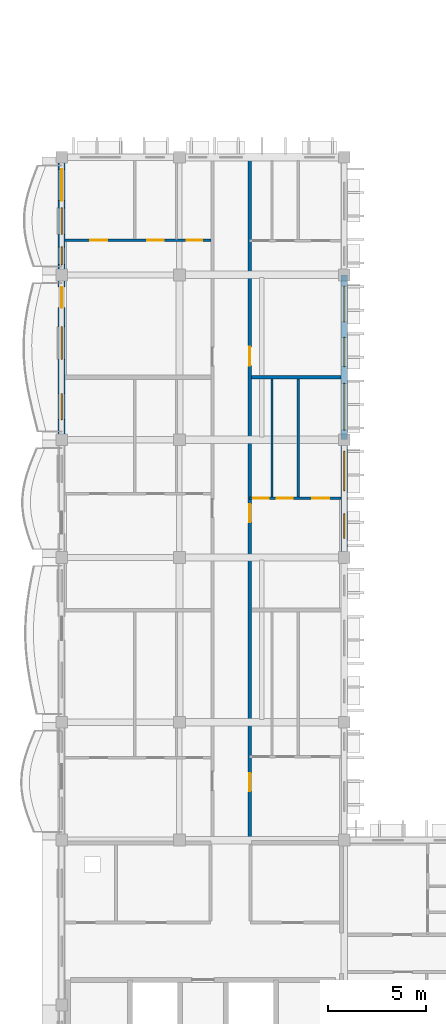
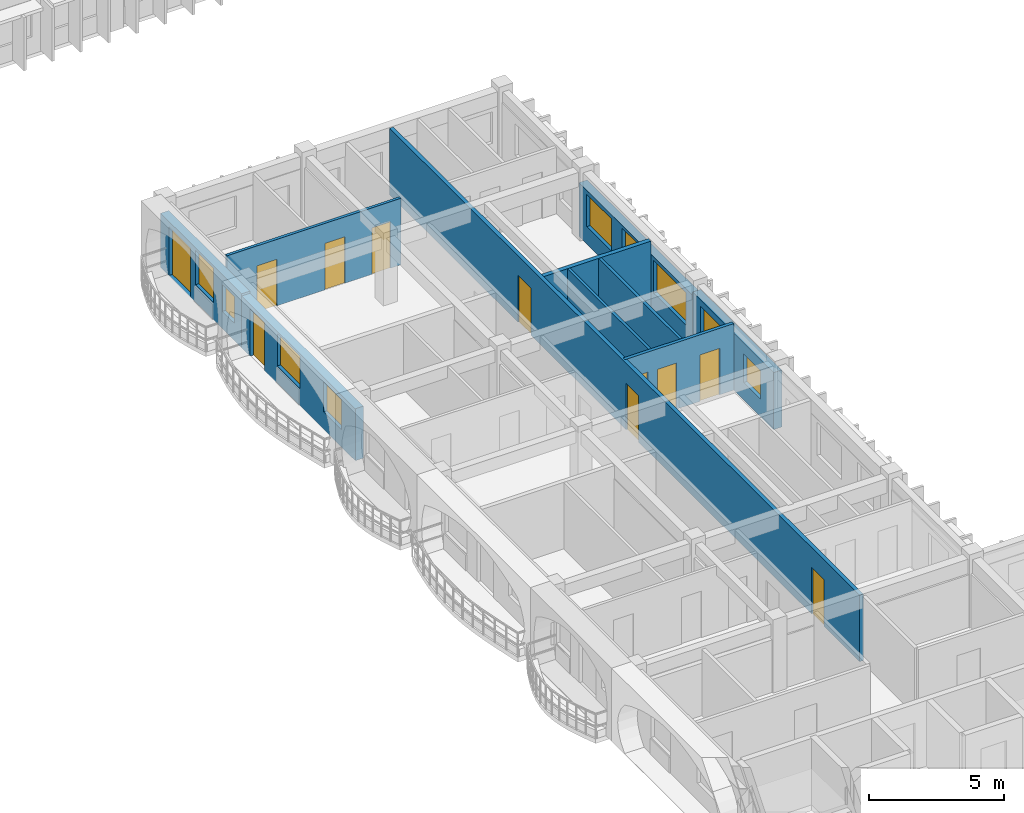
# One storey, part 46 of 101: 11 doors, 10 walls, 9 windows, 20 openings.
"""IFC4 building model written with IfcOpenShell, lengths in metres."""

from ifc_helpers import new_model, si_unit, direction, frame, frame_2d, origin, place, context, subcontext, project, spatial, rectangle, extrude, material, layer, layer_set, type_object, element, fill, save


model = new_model("IFC4")

# Units and contexts
model_context = context("Model", 3, precision=1e-05, world=origin(), true_north=direction((0.0, 1.0)))
body_context = subcontext(model_context, "Body", "Model", "MODEL_VIEW")
ifc_project = project(units=[si_unit("LENGTHUNIT", "METRE"), si_unit("AREAUNIT", "SQUARE_METRE"), si_unit("VOLUMEUNIT", "CUBIC_METRE"), si_unit("PLANEANGLEUNIT", "RADIAN"), si_unit("MASSUNIT", "GRAM", prefix="KILO"), si_unit("THERMODYNAMICTEMPERATUREUNIT", "KELVIN")], contexts=[model_context])

# Site, building, storey
site_placement = place(None, origin())
site = spatial("IfcSite", under=ifc_project, at=site_placement, CompositionType="ELEMENT")
building_placement = place(site_placement, origin())
building = spatial("IfcBuilding", under=site, at=building_placement, Name="Thalorik Housing Commons", CompositionType="ELEMENT")
storey_placement = place(building_placement, frame((0.0, 0.0, 8.10009765625)))
storey = spatial("IfcBuildingStorey", under=building, at=storey_placement, Name="L02", CompositionType="ELEMENT", Elevation=8.10009765625)

# Wall, openings, doors
ifc_material_1 = material(Name="Masonry fire-rated corridor wall", Category="masonry")
ifc_layer_1 = layer(ifc_material_1, 0.1650390625, Name="Masonry fire-rated corridor wall", Category="masonry")
ifc_layer_set_1 = layer_set([ifc_layer_1], Name="Masonry fire-rated corridor wall")
wall_type_1 = type_object("IfcWallType", Name="ARC-WAL-CORR-165", PredefinedType="PARTITIONING", material=ifc_layer_set_1)
wall_1_placement = place(storey_placement, frame((17.97998046875, 22.659912109375, 0.0), z_axis=(0.0, 0.0, 1.0), x_axis=(0.0, 1.0, 0.0)))
wall_1 = element("IfcWall", 1, at=wall_1_placement, inside=storey, type_object=wall_type_1, Name="L02 Block C W Corridor Wall 2", PredefinedType="PARTITIONING", context=body_context, shape_type="SweptSolid", body=[
    extrude(rectangle(XDim=34.76318359375, YDim=0.1650390625, at=frame_2d((17.381591796875, 0.0))), origin(), (0.0, 0.0, 1.0), 3.0),
])
opening_1_placement = place(wall_1_placement, frame((2.6328125, 0.0, 0.0)))
opening_1 = element("IfcOpeningElement", 2, at=opening_1_placement, cuts=wall_1, Name="Opening ID-1623", PredefinedType="OPENING", context=body_context, shape_type="SweptSolid", body=[
    extrude(rectangle(XDim=0.919921875, YDim=2.10009765625, at=frame_2d((0.4599609375, 1.050048828125))), frame((0.0, 0.092529296875, 0.0), z_axis=(0.0, -1.0, 0.0), x_axis=(1.0, 0.0, 0.0)), (0.0, 0.0, 1.0), 0.18505859375),
])
opening_2_placement = place(wall_1_placement, frame((16.3427734375, 0.0, 0.0)))
opening_2 = element("IfcOpeningElement", 3, at=opening_2_placement, cuts=wall_1, Name="Opening ID-1624", PredefinedType="OPENING", context=body_context, shape_type="SweptSolid", body=[
    extrude(rectangle(XDim=0.919921875, YDim=2.10009765625, at=frame_2d((0.4599609375, 1.050048828125))), frame((0.0, 0.092529296875, 0.0), z_axis=(0.0, -1.0, 0.0), x_axis=(1.0, 0.0, 0.0)), (0.0, 0.0, 1.0), 0.18505859375),
])
opening_3_placement = place(wall_1_placement, frame((24.3134765625, 0.0, 0.0)))
opening_3 = element("IfcOpeningElement", 4, at=opening_3_placement, cuts=wall_1, Name="Opening ID-1625", PredefinedType="OPENING", context=body_context, shape_type="SweptSolid", body=[
    extrude(rectangle(XDim=0.9599609375, YDim=2.1201171875, at=frame_2d((0.47998046875, 1.06005859375))), frame((0.0, 0.092529296875, 0.0), z_axis=(0.0, -1.0, 0.0), x_axis=(1.0, 0.0, 0.0)), (0.0, 0.0, 1.0), 0.18505859375),
])
ifc_material_2 = material(Name="Solid core hardwood timber", Category="wood")
door_type_1 = type_object("IfcDoorType", Name="ARC-DR-FD30-920", OperationType="NOTDEFINED", PredefinedType="DOOR", material=ifc_material_2)
door_1_placement = place(opening_1_placement, origin())
door_1 = element("IfcDoor", 5, at=door_1_placement, inside=storey, type_object=door_type_1, Name="L02 Flat CW-1B Entrance Door", OperationType="SINGLE_SWING_RIGHT", OverallHeight=2.10009765625, OverallWidth=0.919921875, PredefinedType="DOOR", context=body_context, shape_type="SweptSolid", body=[
    extrude(rectangle(XDim=0.919921875, YDim=2.10009765625, at=frame_2d((0.4599609375, 1.050048828125))), frame((0.0, 0.02490234375, 0.0), z_axis=(0.0, -1.0, 0.0), x_axis=(1.0, 0.0, 0.0)), (0.0, 0.0, 1.0), 0.050048828125),
])
fill(opening_1, door_1)
door_2_placement = place(opening_2_placement, origin())
door_2 = element("IfcDoor", 6, at=door_2_placement, inside=storey, type_object=door_type_1, Name="L02 Flat CW-2B Entrance Door", OperationType="SINGLE_SWING_LEFT", OverallHeight=2.10009765625, OverallWidth=0.919921875, PredefinedType="DOOR", context=body_context, shape_type="SweptSolid", body=[
    extrude(rectangle(XDim=0.919921875, YDim=2.10009765625, at=frame_2d((0.4599609375, 1.050048828125))), frame((0.0, 0.02490234375, 0.0), z_axis=(0.0, -1.0, 0.0), x_axis=(1.0, 0.0, 0.0)), (0.0, 0.0, 1.0), 0.050048828125),
])
fill(opening_2, door_2)
door_type_2 = type_object("IfcDoorType", Name="ARC-DR-FD30-960", OperationType="NOTDEFINED", PredefinedType="DOOR", material=ifc_material_2)
door_3_placement = place(opening_3_placement, origin())
door_3 = element("IfcDoor", 7, at=door_3_placement, inside=storey, type_object=door_type_2, Name="L02 Flat CW-3B Entrance Door", OperationType="SINGLE_SWING_RIGHT", OverallHeight=2.1201171875, OverallWidth=0.9599609375, PredefinedType="DOOR", context=body_context, shape_type="SweptSolid", body=[
    extrude(rectangle(XDim=0.9599609375, YDim=2.1201171875, at=frame_2d((0.47998046875, 1.06005859375))), frame((0.0, 0.02490234375, 0.0), z_axis=(0.0, -1.0, 0.0), x_axis=(1.0, 0.0, 0.0)), (0.0, 0.0, 1.0), 0.050048828125),
])
fill(opening_3, door_3)

# Wall, openings, windows
ifc_material_3 = material(Name="White precast concrete C40/50", Category="concrete")
ifc_layer_2 = layer(ifc_material_3, 0.35009765625, Name="White precast concrete C40/50", Category="concrete")
ifc_layer_set_2 = layer_set([ifc_layer_2], Name="White precast concrete C40/50")
wall_type_2 = type_object("IfcWallType", Name="ARC-WAL-EXT-350", PredefinedType="STANDARD", material=ifc_layer_set_2)
wall_2_placement = place(storey_placement, frame((22.800048828125, 37.199951171875, 0.0), z_axis=(0.0, 0.0, 1.0), x_axis=(0.0, 1.0, 0.0)))
wall_2 = element("IfcWall", 8, at=wall_2_placement, inside=storey, type_object=wall_type_2, Name="L02 Exterior Wall WAL-EXT-L02-C-0879", PredefinedType="STANDARD", context=body_context, shape_type="SweptSolid", body=[
    extrude(rectangle(XDim=6.0, YDim=0.35009765625, at=frame_2d((3.0, 0.0))), origin(), (0.0, 0.0, 1.0), 2.574951171875),
])
opening_4_placement = place(wall_2_placement, frame((0.976318359375, 0.0, 0.780029296875)))
opening_4 = element("IfcOpeningElement", 9, at=opening_4_placement, cuts=wall_2, Name="Opening W-46", PredefinedType="OPENING", context=body_context, shape_type="SweptSolid", body=[
    extrude(rectangle(XDim=1.25, YDim=1.300048828125, at=frame_2d((0.625, 0.64990234375))), frame((0.0, 0.18505859375, 0.0), z_axis=(0.0, -1.0, 0.0), x_axis=(1.0, 0.0, 0.0)), (0.0, 0.0, 1.0), 0.3701171875),
])
opening_5_placement = place(wall_2_placement, frame((3.411376953125, 0.0, 0.780029296875)))
opening_5 = element("IfcOpeningElement", 10, at=opening_5_placement, cuts=wall_2, Name="Opening W-23", PredefinedType="OPENING", context=body_context, shape_type="SweptSolid", body=[
    extrude(rectangle(XDim=2.0, YDim=1.5, at=frame_2d((1.0, 0.75))), frame((0.0, 0.18505859375, 0.0), z_axis=(0.0, -1.0, 0.0), x_axis=(1.0, 0.0, 0.0)), (0.0, 0.0, 1.0), 0.3701171875),
])
ifc_material_4 = material(Name="Anodised aluminium and solar-control low-E glass", Category="aluminium")
window_type_1 = type_object("IfcWindowType", Name="ARC-WIN-23", PartitioningType="DOUBLE_PANEL_VERTICAL", PredefinedType="WINDOW", material=ifc_material_4)
window_1_placement = place(opening_5_placement, origin())
window_1 = element("IfcWindow", 11, at=window_1_placement, inside=storey, type_object=window_type_1, Name="L02 Facade Window 1625", OverallHeight=1.5, OverallWidth=2.0, PartitioningType="DOUBLE_PANEL_VERTICAL", PredefinedType="WINDOW", context=body_context, shape_type="SweptSolid", body=[
    extrude(rectangle(XDim=2.0, YDim=1.5, at=frame_2d((1.0, 0.75))), frame((0.0, 0.030029296875, 0.0), z_axis=(0.0, -1.0, 0.0), x_axis=(1.0, 0.0, 0.0)), (0.0, 0.0, 1.0), 0.06005859375),
])
fill(opening_5, window_1)
window_type_2 = type_object("IfcWindowType", Name="ARC-WIN-46", PartitioningType="SINGLE_PANEL", PredefinedType="WINDOW", material=ifc_material_4)
window_2_placement = place(opening_4_placement, origin())
window_2 = element("IfcWindow", 12, at=window_2_placement, inside=storey, type_object=window_type_2, Name="L02 Facade Window 1624", OverallHeight=1.300048828125, OverallWidth=1.25, PartitioningType="SINGLE_PANEL", PredefinedType="WINDOW", context=body_context, shape_type="SweptSolid", body=[
    extrude(rectangle(XDim=1.25, YDim=1.300048828125, at=frame_2d((0.625, 0.64990234375))), frame((0.0, 0.030029296875, 0.0), z_axis=(0.0, -1.0, 0.0), x_axis=(1.0, 0.0, 0.0)), (0.0, 0.0, 1.0), 0.06005859375),
])
fill(opening_4, window_2)

wall_3_placement = place(storey_placement, frame((22.800048828125, 43.199951171875, 0.0), z_axis=(0.0, 0.0, 1.0), x_axis=(0.0, 1.0, 0.0)))
wall_3 = element("IfcWall", 13, at=wall_3_placement, inside=storey, type_object=wall_type_2, Name="L02 Exterior Wall WAL-EXT-L02-C-0880", PredefinedType="STANDARD", context=body_context, shape_type="SweptSolid", body=[
    extrude(rectangle(XDim=8.400146484375, YDim=0.35009765625, at=frame_2d((4.2001953125, 0.0))), origin(), (0.0, 0.0, 1.0), 2.4248046875),
])
opening_6_placement = place(wall_3_placement, frame((0.4951171875, 0.0, 0.780029296875)))
opening_6 = element("IfcOpeningElement", 14, at=opening_6_placement, cuts=wall_3, Name="Opening W-69", PredefinedType="OPENING", context=body_context, shape_type="SweptSolid", body=[
    extrude(rectangle(XDim=2.3798828125, YDim=1.47998046875, at=frame_2d((1.18994140625, 0.739990234375))), frame((0.0, 0.18505859375, 0.0), z_axis=(0.0, -1.0, 0.0), x_axis=(1.0, 0.0, 0.0)), (0.0, 0.0, 1.0), 0.3701171875),
])
opening_7_placement = place(wall_3_placement, frame((3.732421875, 0.0, 0.780029296875)))
opening_7 = element("IfcOpeningElement", 15, at=opening_7_placement, cuts=wall_3, Name="Opening W-51", PredefinedType="OPENING", context=body_context, shape_type="SweptSolid", body=[
    extrude(rectangle(XDim=1.47998046875, YDim=1.52001953125, at=frame_2d((0.739990234375, 0.760009765625))), frame((0.0, 0.18505859375, 0.0), z_axis=(0.0, -1.0, 0.0), x_axis=(1.0, 0.0, 0.0)), (0.0, 0.0, 1.0), 0.3701171875),
])
opening_8_placement = place(wall_3_placement, frame((6.007568359375, 0.0, 0.780029296875)))
opening_8 = element("IfcOpeningElement", 16, at=opening_8_placement, cuts=wall_3, Name="Opening W-58", PredefinedType="OPENING", context=body_context, shape_type="SweptSolid", body=[
    extrude(rectangle(XDim=1.820068359375, YDim=1.4599609375, at=frame_2d((0.91015625, 0.72998046875))), frame((0.0, 0.18505859375, 0.0), z_axis=(0.0, -1.0, 0.0), x_axis=(1.0, 0.0, 0.0)), (0.0, 0.0, 1.0), 0.3701171875),
])
window_type_3 = type_object("IfcWindowType", Name="ARC-WIN-51", PartitioningType="SINGLE_PANEL", PredefinedType="WINDOW", material=ifc_material_4)
window_3_placement = place(opening_7_placement, origin())
window_3 = element("IfcWindow", 17, at=window_3_placement, inside=storey, type_object=window_type_3, Name="L02 Facade Window 1627", OverallHeight=1.52001953125, OverallWidth=1.47998046875, PartitioningType="SINGLE_PANEL", PredefinedType="WINDOW", context=body_context, shape_type="SweptSolid", body=[
    extrude(rectangle(XDim=1.47998046875, YDim=1.52001953125, at=frame_2d((0.739990234375, 0.760009765625))), frame((0.0, 0.030029296875, 0.0), z_axis=(0.0, -1.0, 0.0), x_axis=(1.0, 0.0, 0.0)), (0.0, 0.0, 1.0), 0.06005859375),
])
fill(opening_7, window_3)
window_type_4 = type_object("IfcWindowType", Name="ARC-WIN-58", PartitioningType="DOUBLE_PANEL_VERTICAL", PredefinedType="WINDOW", material=ifc_material_4)
window_4_placement = place(opening_8_placement, origin())
window_4 = element("IfcWindow", 18, at=window_4_placement, inside=storey, type_object=window_type_4, Name="L02 Facade Window 1628", OverallHeight=1.4599609375, OverallWidth=1.820068359375, PartitioningType="DOUBLE_PANEL_VERTICAL", PredefinedType="WINDOW", context=body_context, shape_type="SweptSolid", body=[
    extrude(rectangle(XDim=1.820068359375, YDim=1.4599609375, at=frame_2d((0.91015625, 0.72998046875))), frame((0.0, 0.030029296875, 0.0), z_axis=(0.0, -1.0, 0.0), x_axis=(1.0, 0.0, 0.0)), (0.0, 0.0, 1.0), 0.06005859375),
])
fill(opening_8, window_4)
window_type_5 = type_object("IfcWindowType", Name="ARC-WIN-69", PartitioningType="DOUBLE_PANEL_VERTICAL", PredefinedType="WINDOW", material=ifc_material_4)
window_5_placement = place(opening_6_placement, origin())
window_5 = element("IfcWindow", 19, at=window_5_placement, inside=storey, type_object=window_type_5, Name="L02 Facade Window 1626", OverallHeight=1.47998046875, OverallWidth=2.3798828125, PartitioningType="DOUBLE_PANEL_VERTICAL", PredefinedType="WINDOW", context=body_context, shape_type="SweptSolid", body=[
    extrude(rectangle(XDim=2.3798828125, YDim=1.47998046875, at=frame_2d((1.18994140625, 0.739990234375))), frame((0.0, 0.030029296875, 0.0), z_axis=(0.0, -1.0, 0.0), x_axis=(1.0, 0.0, 0.0)), (0.0, 0.0, 1.0), 0.06005859375),
])
fill(opening_6, window_5)

# Wall, openings, door, windows
wall_4_placement = place(storey_placement, frame((8.39990234375, 57.60009765625, 0.0), z_axis=(0.0, 0.0, 1.0), x_axis=(0.0, -1.0, 0.0)))
wall_4 = element("IfcWall", 20, at=wall_4_placement, inside=storey, type_object=wall_type_2, Name="L02 Exterior Wall WAL-EXT-L02-C-0884", PredefinedType="STANDARD", context=body_context, shape_type="SweptSolid", body=[
    extrude(rectangle(XDim=6.0, YDim=0.35009765625, at=frame_2d((3.0, 0.0))), origin(), (0.0, 0.0, 1.0), 2.44482421875),
])
opening_9_placement = place(wall_4_placement, frame((0.6201171875, 0.0, 0.0)))
opening_9 = element("IfcOpeningElement", 21, at=opening_9_placement, cuts=wall_4, Name="Opening ED-0288", PredefinedType="OPENING", context=body_context, shape_type="SweptSolid", body=[
    extrude(rectangle(XDim=1.60009765625, YDim=2.199951171875, at=frame_2d((0.800048828125, 1.10009765625))), frame((0.0, 0.18505859375, 0.0), z_axis=(0.0, -1.0, 0.0), x_axis=(1.0, 0.0, 0.0)), (0.0, 0.0, 1.0), 0.3701171875),
])
opening_10_placement = place(wall_4_placement, frame((2.580078125, 0.0, 0.780029296875)))
opening_10 = element("IfcOpeningElement", 22, at=opening_10_placement, cuts=wall_4, Name="Opening W-07", PredefinedType="OPENING", context=body_context, shape_type="SweptSolid", body=[
    extrude(rectangle(XDim=1.35009765625, YDim=1.550048828125, at=frame_2d((0.675048828125, 0.77490234375))), frame((0.0, 0.18505859375, 0.0), z_axis=(0.0, -1.0, 0.0), x_axis=(1.0, 0.0, 0.0)), (0.0, 0.0, 1.0), 0.3701171875),
])
opening_11_placement = place(wall_4_placement, frame((4.574951171875, 0.0, 0.780029296875)))
opening_11 = element("IfcOpeningElement", 23, at=opening_11_placement, cuts=wall_4, Name="Opening W-01", PredefinedType="OPENING", context=body_context, shape_type="SweptSolid", body=[
    extrude(rectangle(XDim=0.89990234375, YDim=1.199951171875, at=frame_2d((0.449951171875, 0.60009765625))), frame((0.0, 0.18505859375, 0.0), z_axis=(0.0, -1.0, 0.0), x_axis=(1.0, 0.0, 0.0)), (0.0, 0.0, 1.0), 0.3701171875),
])
ifc_material_5 = material(Name="Anodised aluminium and laminated safety glass", Category="aluminium")
door_type_3 = type_object("IfcDoorType", Name="ARC-DR-BAL-1600", OperationType="NOTDEFINED", PredefinedType="DOOR", material=ifc_material_5)
door_4_placement = place(opening_9_placement, frame((1.60009765625, 0.0, 0.0), z_axis=(0.0, 0.0, 1.0), x_axis=(-1.0, 0.0, 0.0)))
door_4 = element("IfcDoor", 24, at=door_4_placement, inside=storey, type_object=door_type_3, Name="L02 Block C Balcony Glazed Door", OperationType="SLIDING_TO_LEFT", OverallHeight=2.199951171875, OverallWidth=1.60009765625, PredefinedType="DOOR", context=body_context, shape_type="SweptSolid", body=[
    extrude(rectangle(XDim=1.60009765625, YDim=2.199951171875, at=frame_2d((0.800048828125, 1.10009765625))), frame((0.0, 0.02490234375, 0.0), z_axis=(0.0, -1.0, 0.0), x_axis=(1.0, 0.0, 0.0)), (0.0, 0.0, 1.0), 0.050048828125),
])
fill(opening_9, door_4)
window_type_6 = type_object("IfcWindowType", Name="ARC-WIN-01", PartitioningType="SINGLE_PANEL", PredefinedType="WINDOW", material=ifc_material_4)
window_6_placement = place(opening_11_placement, origin())
window_6 = element("IfcWindow", 25, at=window_6_placement, inside=storey, type_object=window_type_6, Name="L02 Facade Window 1637", OverallHeight=1.199951171875, OverallWidth=0.89990234375, PartitioningType="SINGLE_PANEL", PredefinedType="WINDOW", context=body_context, shape_type="SweptSolid", body=[
    extrude(rectangle(XDim=0.89990234375, YDim=1.199951171875, at=frame_2d((0.449951171875, 0.60009765625))), frame((0.0, 0.030029296875, 0.0), z_axis=(0.0, -1.0, 0.0), x_axis=(1.0, 0.0, 0.0)), (0.0, 0.0, 1.0), 0.06005859375),
])
fill(opening_11, window_6)
window_type_7 = type_object("IfcWindowType", Name="ARC-WIN-07", PartitioningType="SINGLE_PANEL", PredefinedType="WINDOW", material=ifc_material_4)
window_7_placement = place(opening_10_placement, origin())
window_7 = element("IfcWindow", 26, at=window_7_placement, inside=storey, type_object=window_type_7, Name="L02 Facade Window 1636", OverallHeight=1.550048828125, OverallWidth=1.35009765625, PartitioningType="SINGLE_PANEL", PredefinedType="WINDOW", context=body_context, shape_type="SweptSolid", body=[
    extrude(rectangle(XDim=1.35009765625, YDim=1.550048828125, at=frame_2d((0.675048828125, 0.77490234375))), frame((0.0, 0.030029296875, 0.0), z_axis=(0.0, -1.0, 0.0), x_axis=(1.0, 0.0, 0.0)), (0.0, 0.0, 1.0), 0.06005859375),
])
fill(opening_10, window_7)

wall_5_placement = place(storey_placement, frame((8.39990234375, 51.60009765625, 0.0), z_axis=(0.0, 0.0, 1.0), x_axis=(0.0, -1.0, 0.0)))
wall_5 = element("IfcWall", 27, at=wall_5_placement, inside=storey, type_object=wall_type_2, Name="L02 Exterior Wall WAL-EXT-L02-C-0885", PredefinedType="STANDARD", context=body_context, shape_type="SweptSolid", body=[
    extrude(rectangle(XDim=8.400146484375, YDim=0.35009765625, at=frame_2d((4.2001953125, 0.0))), origin(), (0.0, 0.0, 1.0), 2.344970703125),
])
opening_12_placement = place(wall_5_placement, frame((0.6201171875, 0.0, 0.0)))
opening_12 = element("IfcOpeningElement", 28, at=opening_12_placement, cuts=wall_5, Name="Opening ED-0289", PredefinedType="OPENING", context=body_context, shape_type="SweptSolid", body=[
    extrude(rectangle(XDim=1.050048828125, YDim=2.14990234375, at=frame_2d((0.52490234375, 1.074951171875))), frame((0.0, 0.18505859375, 0.0), z_axis=(0.0, -1.0, 0.0), x_axis=(1.0, 0.0, 0.0)), (0.0, 0.0, 1.0), 0.3701171875),
])
opening_13_placement = place(wall_5_placement, frame((2.6298828125, 0.0, 0.780029296875)))
opening_13 = element("IfcOpeningElement", 29, at=opening_13_placement, cuts=wall_5, Name="Opening W-55", PredefinedType="OPENING", context=body_context, shape_type="SweptSolid", body=[
    extrude(rectangle(XDim=1.679931640625, YDim=1.4599609375, at=frame_2d((0.83984375, 0.72998046875))), frame((0.0, 0.18505859375, 0.0), z_axis=(0.0, -1.0, 0.0), x_axis=(1.0, 0.0, 0.0)), (0.0, 0.0, 1.0), 0.3701171875),
])
opening_14_placement = place(wall_5_placement, frame((6.054931640625, 0.0, 0.780029296875)))
opening_14 = element("IfcOpeningElement", 30, at=opening_14_placement, cuts=wall_5, Name="Opening W-48", PredefinedType="OPENING", context=body_context, shape_type="SweptSolid", body=[
    extrude(rectangle(XDim=1.320068359375, YDim=1.35009765625, at=frame_2d((0.66015625, 0.675048828125))), frame((0.0, 0.18505859375, 0.0), z_axis=(0.0, -1.0, 0.0), x_axis=(1.0, 0.0, 0.0)), (0.0, 0.0, 1.0), 0.3701171875),
])
door_type_4 = type_object("IfcDoorType", Name="ARC-DR-BAL-1050", OperationType="NOTDEFINED", PredefinedType="DOOR", material=ifc_material_5)
door_5_placement = place(opening_12_placement, frame((1.050048828125, 0.0, 0.0), z_axis=(0.0, 0.0, 1.0), x_axis=(-1.0, 0.0, 0.0)))
door_5 = element("IfcDoor", 31, at=door_5_placement, inside=storey, type_object=door_type_4, Name="L02 Block C Balcony Glazed Door", OperationType="SINGLE_SWING_RIGHT", OverallHeight=2.14990234375, OverallWidth=1.050048828125, PredefinedType="DOOR", context=body_context, shape_type="SweptSolid", body=[
    extrude(rectangle(XDim=1.050048828125, YDim=2.14990234375, at=frame_2d((0.52490234375, 1.074951171875))), frame((0.0, 0.02490234375, 0.0), z_axis=(0.0, -1.0, 0.0), x_axis=(1.0, 0.0, 0.0)), (0.0, 0.0, 1.0), 0.050048828125),
])
fill(opening_12, door_5)
window_type_8 = type_object("IfcWindowType", Name="ARC-WIN-48", PartitioningType="SINGLE_PANEL", PredefinedType="WINDOW", material=ifc_material_4)
window_8_placement = place(opening_14_placement, origin())
window_8 = element("IfcWindow", 32, at=window_8_placement, inside=storey, type_object=window_type_8, Name="L02 Facade Window 1639", OverallHeight=1.35009765625, OverallWidth=1.320068359375, PartitioningType="SINGLE_PANEL", PredefinedType="WINDOW", context=body_context, shape_type="SweptSolid", body=[
    extrude(rectangle(XDim=1.320068359375, YDim=1.35009765625, at=frame_2d((0.66015625, 0.675048828125))), frame((0.0, 0.030029296875, 0.0), z_axis=(0.0, -1.0, 0.0), x_axis=(1.0, 0.0, 0.0)), (0.0, 0.0, 1.0), 0.06005859375),
])
fill(opening_14, window_8)
window_type_9 = type_object("IfcWindowType", Name="ARC-WIN-55", PartitioningType="DOUBLE_PANEL_VERTICAL", PredefinedType="WINDOW", material=ifc_material_4)
window_9_placement = place(opening_13_placement, origin())
window_9 = element("IfcWindow", 33, at=window_9_placement, inside=storey, type_object=window_type_9, Name="L02 Facade Window 1638", OverallHeight=1.4599609375, OverallWidth=1.679931640625, PartitioningType="DOUBLE_PANEL_VERTICAL", PredefinedType="WINDOW", context=body_context, shape_type="SweptSolid", body=[
    extrude(rectangle(XDim=1.679931640625, YDim=1.4599609375, at=frame_2d((0.83984375, 0.72998046875))), frame((0.0, 0.030029296875, 0.0), z_axis=(0.0, -1.0, 0.0), x_axis=(1.0, 0.0, 0.0)), (0.0, 0.0, 1.0), 0.06005859375),
])
fill(opening_13, window_9)

# Walls
ifc_material_6 = material(Name="Gypsum moisture-resistant partition", Category="masonry")
ifc_layer_3 = layer(ifc_material_6, 0.114990234375, Name="Gypsum moisture-resistant partition", Category="masonry")
ifc_layer_set_3 = layer_set([ifc_layer_3], Name="Gypsum moisture-resistant partition")
wall_type_3 = type_object("IfcWallType", Name="ARC-WAL-PART-115", PredefinedType="PARTITIONING", material=ifc_layer_set_3)
wall_6_placement = place(storey_placement, frame((19.122314453125, 40.284912109375, 0.0), z_axis=(0.0, 0.0, 1.0), x_axis=(0.0, 1.0, 0.0)))
element("IfcWall", 34, at=wall_6_placement, inside=storey, type_object=wall_type_3, Name="L02 Unit 2B Wet Wall", PredefinedType="PARTITIONING", context=body_context, shape_type="SweptSolid", body=[
    extrude(rectangle(XDim=6.00048828125, YDim=0.114990234375, at=frame_2d((3.000244140625, 0.0))), origin(), (0.0, 0.0, 1.0), 3.0),
])
ifc_material_7 = material(Name="Gypsum acoustic stud partition", Category="masonry")
ifc_layer_4 = layer(ifc_material_7, 0.125, Name="Gypsum acoustic stud partition", Category="masonry")
ifc_layer_set_4 = layer_set([ifc_layer_4], Name="Gypsum acoustic stud partition")
wall_type_4 = type_object("IfcWallType", Name="ARC-WAL-PART-125", PredefinedType="PARTITIONING", material=ifc_layer_set_4)
wall_7_placement = place(storey_placement, frame((20.455078125, 40.284912109375, 0.0), z_axis=(0.0, 0.0, 1.0), x_axis=(0.0, 1.0, 0.0)))
element("IfcWall", 35, at=wall_7_placement, inside=storey, type_object=wall_type_4, Name="L02 Unit 2B Bedroom Partition", PredefinedType="PARTITIONING", context=body_context, shape_type="SweptSolid", body=[
    extrude(rectangle(XDim=6.00048828125, YDim=0.125, at=frame_2d((3.000244140625, 0.0))), origin(), (0.0, 0.0, 1.0), 3.0),
])

# Wall, openings, doors
wall_8_placement = place(storey_placement, frame((8.576904296875, 53.360107421875, 0.0), z_axis=(0.0, 0.0, 1.0), x_axis=(1.0, 0.0, 0.0)))
wall_8 = element("IfcWall", 36, at=wall_8_placement, inside=storey, type_object=wall_type_4, Name="L02 Unit 3 Spine Partition", PredefinedType="PARTITIONING", context=body_context, shape_type="SweptSolid", body=[
    extrude(rectangle(XDim=7.426025390625, YDim=0.125, at=frame_2d((3.712890625, 0.0))), origin(), (0.0, 0.0, 1.0), 3.0),
])
opening_15_placement = place(wall_8_placement, frame((1.286865234375, 0.0, 0.0)))
opening_15 = element("IfcOpeningElement", 37, at=opening_15_placement, cuts=wall_8, Name="Opening ID-1614", PredefinedType="OPENING", context=body_context, shape_type="SweptSolid", body=[
    extrude(rectangle(XDim=0.85009765625, YDim=2.10009765625, at=frame_2d((0.425048828125, 1.050048828125))), frame((0.0, 0.072509765625, 0.0), z_axis=(0.0, -1.0, 0.0), x_axis=(1.0, 0.0, 0.0)), (0.0, 0.0, 1.0), 0.14501953125),
])
opening_16_placement = place(wall_8_placement, frame((4.182373046875, 0.0, 0.0)))
opening_16 = element("IfcOpeningElement", 38, at=opening_16_placement, cuts=wall_8, Name="Opening ID-1615", PredefinedType="OPENING", context=body_context, shape_type="SweptSolid", body=[
    extrude(rectangle(XDim=0.85009765625, YDim=2.10009765625, at=frame_2d((0.425048828125, 1.050048828125))), frame((0.0, 0.072509765625, 0.0), z_axis=(0.0, -1.0, 0.0), x_axis=(1.0, 0.0, 0.0)), (0.0, 0.0, 1.0), 0.14501953125),
])
opening_17_placement = place(wall_8_placement, frame((6.188720703125, 0.0, 0.0)))
opening_17 = element("IfcOpeningElement", 39, at=opening_17_placement, cuts=wall_8, Name="Opening ID-1616", PredefinedType="OPENING", context=body_context, shape_type="SweptSolid", body=[
    extrude(rectangle(XDim=0.800048828125, YDim=2.10009765625, at=frame_2d((0.39990234375, 1.050048828125))), frame((0.0, 0.072509765625, 0.0), z_axis=(0.0, -1.0, 0.0), x_axis=(1.0, 0.0, 0.0)), (0.0, 0.0, 1.0), 0.14501953125),
])
ifc_material_8 = material(Name="Moisture-resistant timber", Category="wood")
door_type_5 = type_object("IfcDoorType", Name="ARC-DR-INT-800", OperationType="NOTDEFINED", PredefinedType="DOOR", material=ifc_material_8)
door_6_placement = place(opening_17_placement, origin())
door_6 = element("IfcDoor", 40, at=door_6_placement, inside=storey, type_object=door_type_5, Name="L02 Flat Bathroom Door", OperationType="SINGLE_SWING_LEFT", OverallHeight=2.10009765625, OverallWidth=0.800048828125, PredefinedType="DOOR", context=body_context, shape_type="SweptSolid", body=[
    extrude(rectangle(XDim=0.800048828125, YDim=2.10009765625, at=frame_2d((0.39990234375, 1.050048828125))), frame((0.0, 0.02490234375, 0.0), z_axis=(0.0, -1.0, 0.0), x_axis=(1.0, 0.0, 0.0)), (0.0, 0.0, 1.0), 0.050048828125),
])
fill(opening_17, door_6)
ifc_material_9 = material(Name="Engineered oak timber", Category="wood")
door_type_6 = type_object("IfcDoorType", Name="ARC-DR-INT-850", OperationType="NOTDEFINED", PredefinedType="DOOR", material=ifc_material_9)
door_7_placement = place(opening_15_placement, origin())
door_7 = element("IfcDoor", 41, at=door_7_placement, inside=storey, type_object=door_type_6, Name="L02 Double Bedroom Door", OperationType="SINGLE_SWING_LEFT", OverallHeight=2.10009765625, OverallWidth=0.85009765625, PredefinedType="DOOR", context=body_context, shape_type="SweptSolid", body=[
    extrude(rectangle(XDim=0.85009765625, YDim=2.10009765625, at=frame_2d((0.425048828125, 1.050048828125))), frame((0.0, 0.02490234375, 0.0), z_axis=(0.0, -1.0, 0.0), x_axis=(1.0, 0.0, 0.0)), (0.0, 0.0, 1.0), 0.050048828125),
])
fill(opening_15, door_7)
door_8_placement = place(opening_16_placement, origin())
door_8 = element("IfcDoor", 42, at=door_8_placement, inside=storey, type_object=door_type_6, Name="L02 Galley Kitchen Door", OperationType="SINGLE_SWING_RIGHT", OverallHeight=2.10009765625, OverallWidth=0.85009765625, PredefinedType="DOOR", context=body_context, shape_type="SweptSolid", body=[
    extrude(rectangle(XDim=0.85009765625, YDim=2.10009765625, at=frame_2d((0.425048828125, 1.050048828125))), frame((0.0, 0.02490234375, 0.0), z_axis=(0.0, -1.0, 0.0), x_axis=(1.0, 0.0, 0.0)), (0.0, 0.0, 1.0), 0.050048828125),
])
fill(opening_16, door_8)

ifc_material_10 = material(Name="Ceramic masonry partition wall", Category="masonry")
ifc_layer_5 = layer(ifc_material_10, 0.139892578125, Name="Ceramic masonry partition wall", Category="masonry")
ifc_layer_set_5 = layer_set([ifc_layer_5], Name="Ceramic masonry partition wall")
wall_type_5 = type_object("IfcWallType", Name="ARC-WAL-PART-140", PredefinedType="PARTITIONING", material=ifc_layer_set_5)
wall_9_placement = place(storey_placement, frame((17.97998046875, 40.212890625, 0.0), z_axis=(0.0, 0.0, 1.0), x_axis=(1.0, 0.0, 0.0)))
wall_9 = element("IfcWall", 43, at=wall_9_placement, inside=storey, type_object=wall_type_5, Name="L02 Unit 2B Spine Partition", PredefinedType="PARTITIONING", context=body_context, shape_type="SweptSolid", body=[
    extrude(rectangle(XDim=4.64306640625, YDim=0.139892578125, at=frame_2d((2.321533203125, 0.0))), origin(), (0.0, 0.0, 1.0), 3.0),
])
opening_18_placement = place(wall_9_placement, frame((0.171142578125, 0.0, 0.0)))
opening_18 = element("IfcOpeningElement", 44, at=opening_18_placement, cuts=wall_9, Name="Opening ID-1611", PredefinedType="OPENING", context=body_context, shape_type="SweptSolid", body=[
    extrude(rectangle(XDim=0.800048828125, YDim=2.10009765625, at=frame_2d((0.39990234375, 1.050048828125))), frame((0.0, 0.080078125, 0.0), z_axis=(0.0, -1.0, 0.0), x_axis=(1.0, 0.0, 0.0)), (0.0, 0.0, 1.0), 0.159912109375),
])
opening_19_placement = place(wall_9_placement, frame((1.3837890625, 0.0, 0.0)))
opening_19 = element("IfcOpeningElement", 45, at=opening_19_placement, cuts=wall_9, Name="Opening ID-1612", PredefinedType="OPENING", context=body_context, shape_type="SweptSolid", body=[
    extrude(rectangle(XDim=0.820068359375, YDim=2.080078125, at=frame_2d((0.41015625, 1.0400390625))), frame((0.0, 0.080078125, 0.0), z_axis=(0.0, -1.0, 0.0), x_axis=(1.0, 0.0, 0.0)), (0.0, 0.0, 1.0), 0.159912109375),
])
opening_20_placement = place(wall_9_placement, frame((3.192626953125, 0.0, 0.0)))
opening_20 = element("IfcOpeningElement", 46, at=opening_20_placement, cuts=wall_9, Name="Opening ID-1613", PredefinedType="OPENING", context=body_context, shape_type="SweptSolid", body=[
    extrude(rectangle(XDim=0.85009765625, YDim=2.10009765625, at=frame_2d((0.425048828125, 1.050048828125))), frame((0.0, 0.080078125, 0.0), z_axis=(0.0, -1.0, 0.0), x_axis=(1.0, 0.0, 0.0)), (0.0, 0.0, 1.0), 0.159912109375),
])
door_9_placement = place(opening_18_placement, origin())
door_9 = element("IfcDoor", 47, at=door_9_placement, inside=storey, type_object=door_type_5, Name="L02 Flat Bathroom Door", OperationType="SINGLE_SWING_RIGHT", OverallHeight=2.10009765625, OverallWidth=0.800048828125, PredefinedType="DOOR", context=body_context, shape_type="SweptSolid", body=[
    extrude(rectangle(XDim=0.800048828125, YDim=2.10009765625, at=frame_2d((0.39990234375, 1.050048828125))), frame((0.0, 0.02490234375, 0.0), z_axis=(0.0, -1.0, 0.0), x_axis=(1.0, 0.0, 0.0)), (0.0, 0.0, 1.0), 0.050048828125),
])
fill(opening_18, door_9)
door_type_7 = type_object("IfcDoorType", Name="ARC-DR-INT-820", OperationType="NOTDEFINED", PredefinedType="DOOR", material=ifc_material_9)
door_10_placement = place(opening_19_placement, origin())
door_10 = element("IfcDoor", 48, at=door_10_placement, inside=storey, type_object=door_type_7, Name="L02 Galley Kitchen Door", OperationType="SINGLE_SWING_LEFT", OverallHeight=2.080078125, OverallWidth=0.820068359375, PredefinedType="DOOR", context=body_context, shape_type="SweptSolid", body=[
    extrude(rectangle(XDim=0.820068359375, YDim=2.080078125, at=frame_2d((0.41015625, 1.0400390625))), frame((0.0, 0.02490234375, 0.0), z_axis=(0.0, -1.0, 0.0), x_axis=(1.0, 0.0, 0.0)), (0.0, 0.0, 1.0), 0.050048828125),
])
fill(opening_19, door_10)
door_11_placement = place(opening_20_placement, origin())
door_11 = element("IfcDoor", 49, at=door_11_placement, inside=storey, type_object=door_type_6, Name="L02 Single Bedroom Door", OperationType="SINGLE_SWING_RIGHT", OverallHeight=2.10009765625, OverallWidth=0.85009765625, PredefinedType="DOOR", context=body_context, shape_type="SweptSolid", body=[
    extrude(rectangle(XDim=0.85009765625, YDim=2.10009765625, at=frame_2d((0.425048828125, 1.050048828125))), frame((0.0, 0.02490234375, 0.0), z_axis=(0.0, -1.0, 0.0), x_axis=(1.0, 0.0, 0.0)), (0.0, 0.0, 1.0), 0.050048828125),
])
fill(opening_20, door_11)

# Wall
ifc_material_11 = material(Name="Masonry acoustic blockwork wall", Category="masonry")
ifc_layer_6 = layer(ifc_material_11, 0.18505859375, Name="Masonry acoustic blockwork wall", Category="masonry")
ifc_layer_set_6 = layer_set([ifc_layer_6], Name="Masonry acoustic blockwork wall")
wall_type_6 = type_object("IfcWallType", Name="ARC-WAL-PARTY-185", PredefinedType="PARTITIONING", material=ifc_layer_set_6)
wall_10_placement = place(storey_placement, frame((18.064453125, 46.3798828125, 0.0), z_axis=(0.0, 0.0, 1.0), x_axis=(1.0, 0.0, 0.0)))
element("IfcWall", 50, at=wall_10_placement, inside=storey, type_object=wall_type_6, Name="L02 Inter-Tenancy Wall 2B", PredefinedType="PARTITIONING", context=body_context, shape_type="SweptSolid", body=[
    extrude(rectangle(XDim=4.55859375, YDim=0.18505859375, at=frame_2d((2.279296875, 0.0))), origin(), (0.0, 0.0, 1.0), 3.0),
])

save(model, "model.ifc")
